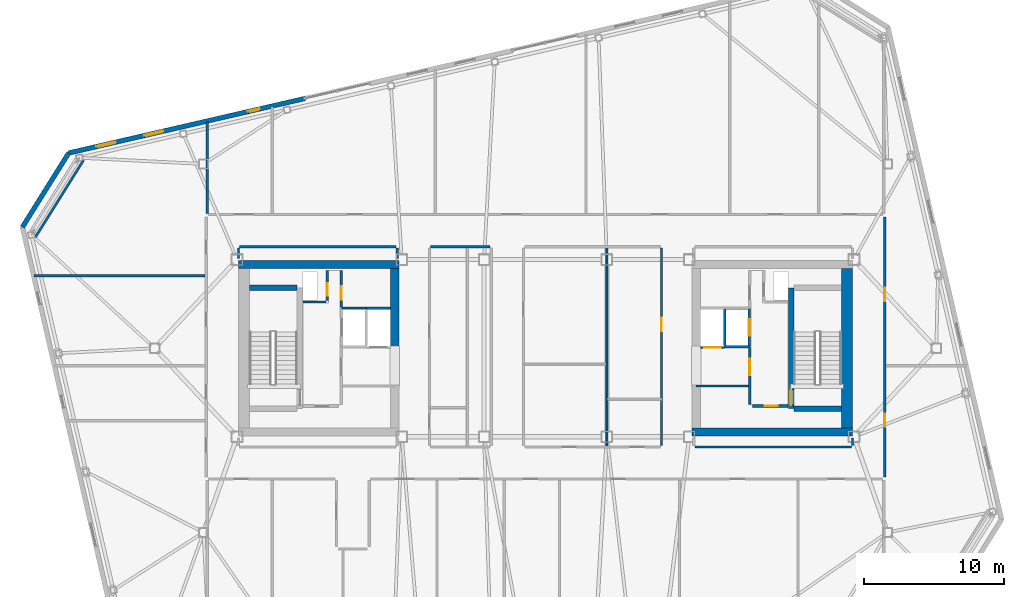
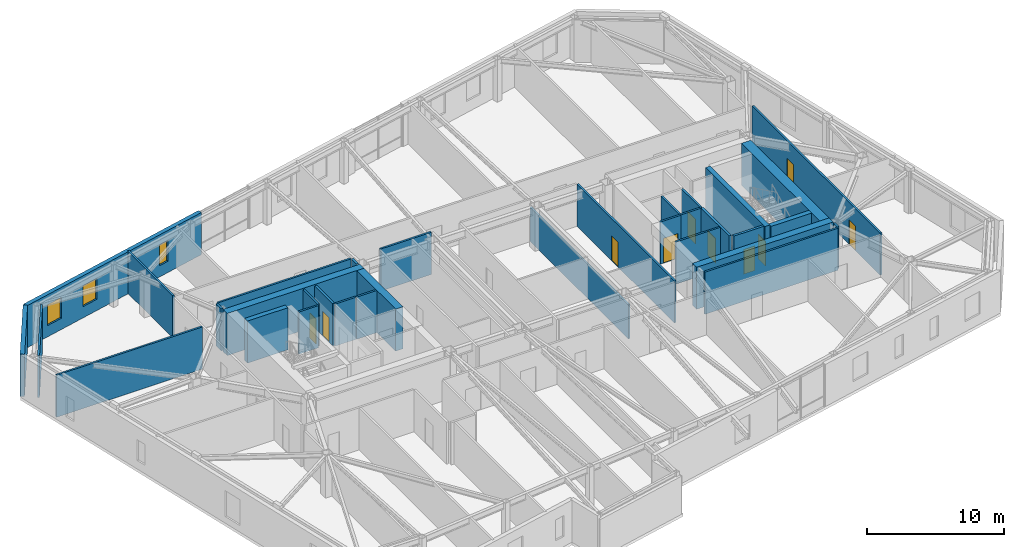
# One storey, part 16 of 21: 33 walls, 10 doors, 3 windows, 13 openings.
"""IFC4 building model written with IfcOpenShell, lengths in metres."""

from ifc_helpers import new_model, si_unit, direction, frame, frame_2d, origin, place, context, subcontext, project, spatial, rectangle, extrude, material, layer, layer_set, type_object, element, fill, save


model = new_model("IFC4")

# Units and contexts
model_context = context("Model", 3, precision=1e-05, world=origin(), true_north=direction((0.0, 1.0)))
body_context = subcontext(model_context, "Body", "Model", "MODEL_VIEW")
ifc_project = project(units=[si_unit("LENGTHUNIT", "METRE"), si_unit("AREAUNIT", "SQUARE_METRE"), si_unit("VOLUMEUNIT", "CUBIC_METRE"), si_unit("PLANEANGLEUNIT", "RADIAN"), si_unit("MASSUNIT", "GRAM", prefix="KILO")], contexts=[model_context])

# Site, building, storey
site_placement = place(None, origin())
site = spatial("IfcSite", under=ifc_project, at=site_placement, CompositionType="ELEMENT")
building_placement = place(site_placement, origin())
building = spatial("IfcBuilding", under=site, at=building_placement, Name="Tavrogorsk Clinical Tower", CompositionType="ELEMENT")
storey_placement = place(building_placement, frame((0.0, 0.0, 285.0)))
storey = spatial("IfcBuildingStorey", under=building, at=storey_placement, Name="L66", CompositionType="ELEMENT", Elevation=285.0)

# Wall, opening, door
ifc_material_1 = material(Name="Concrete B60", Category="concrete")
ifc_layer_1 = layer(ifc_material_1, 0.199951171875)
ifc_layer_set_1 = layer_set([ifc_layer_1], Name="Concrete B60")
wall_type_1 = type_object("IfcWallType", Name="CoreFireWall_200", PredefinedType="SOLIDWALL", material=ifc_layer_set_1)
wall_1_placement = place(storey_placement, frame((-14.639892578125, 2.9599609375, 0.0), z_axis=(0.0, 0.0, 1.0), x_axis=(0.0, 1.0, 0.0)))
wall_1 = element("IfcWall", 1, at=wall_1_placement, inside=storey, type_object=wall_type_1, Name="L66 Core West North Core Room East Wall", PredefinedType="SOLIDWALL", context=body_context, shape_type="SweptSolid", body=[
    extrude(rectangle(XDim=2.60009765625, YDim=0.199951171875, at=frame_2d((1.300048828125, 0.0))), origin(), (0.0, 0.0, 1.0), 3.739990234375),
])
opening_1_placement = place(wall_1_placement, frame((0.52001953125, 0.0, 0.0)))
opening_1 = element("IfcOpeningElement", 2, at=opening_1_placement, cuts=wall_1, Name="Opening ID-02", PredefinedType="OPENING", context=body_context, shape_type="SweptSolid", body=[
    extrude(rectangle(XDim=0.949951171875, YDim=2.199951171875, at=frame_2d((0.47509765625, 1.10009765625))), frame((0.0, 0.10986328125, 0.0), z_axis=(0.0, -1.0, 0.0), x_axis=(1.0, 0.0, 0.0)), (0.0, 0.0, 1.0), 0.219970703125),
])
ifc_material_2 = material(Name="Laminated timber leaf on aluminium frame", Category="wood")
door_type_1 = type_object("IfcDoorType", Name="InteriorDoor_ID02_950", OperationType="NOTDEFINED", PredefinedType="DOOR", material=ifc_material_2)
door_1_placement = place(opening_1_placement, origin())
door_1 = element("IfcDoor", 3, at=door_1_placement, inside=storey, type_object=door_type_1, Name="L66 Core West Core Telemetry Room Door", OperationType="SINGLE_SWING_LEFT", OverallHeight=2.199951171875, OverallWidth=0.949951171875, PredefinedType="DOOR", context=body_context, shape_type="SweptSolid", body=[
    extrude(rectangle(XDim=0.949951171875, YDim=2.199951171875, at=frame_2d((0.47509765625, 1.10009765625))), frame((0.0, 0.02490234375, 0.0), z_axis=(0.0, -1.0, 0.0), x_axis=(1.0, 0.0, 0.0)), (0.0, 0.0, 1.0), 0.050048828125),
])
fill(opening_1, door_1)

wall_2_placement = place(storey_placement, frame((14.824951171875, -4.139892578125, 0.0), z_axis=(0.0, 0.0, 1.0), x_axis=(1.0, 0.0, 0.0)))
wall_2 = element("IfcWall", 4, at=wall_2_placement, inside=storey, type_object=wall_type_1, Name="L66 Core East South Core Room Fire Wall", PredefinedType="SOLIDWALL", context=body_context, shape_type="SweptSolid", body=[
    extrude(rectangle(XDim=2.554931640625, YDim=0.199951171875, at=frame_2d((1.27734375, 0.0))), origin(), (0.0, 0.0, 1.0), 3.739990234375),
])
opening_2_placement = place(wall_2_placement, frame((0.8798828125, 0.0, 0.0)))
opening_2 = element("IfcOpeningElement", 5, at=opening_2_placement, cuts=wall_2, Name="Opening ID-02", PredefinedType="OPENING", context=body_context, shape_type="SweptSolid", body=[
    extrude(rectangle(XDim=0.949951171875, YDim=2.199951171875, at=frame_2d((0.47509765625, 1.10009765625))), frame((0.0, 0.10986328125, 0.0), z_axis=(0.0, -1.0, 0.0), x_axis=(1.0, 0.0, 0.0)), (0.0, 0.0, 1.0), 0.219970703125),
])
door_2_placement = place(opening_2_placement, origin())
door_2 = element("IfcDoor", 6, at=door_2_placement, inside=storey, type_object=door_type_1, Name="L66 Core East South Core Room Door", OperationType="SINGLE_SWING_RIGHT", OverallHeight=2.199951171875, OverallWidth=0.949951171875, PredefinedType="DOOR", context=body_context, shape_type="SweptSolid", body=[
    extrude(rectangle(XDim=0.949951171875, YDim=2.199951171875, at=frame_2d((0.47509765625, 1.10009765625))), frame((0.0, 0.02490234375, 0.0), z_axis=(0.0, -1.0, 0.0), x_axis=(1.0, 0.0, 0.0)), (0.0, 0.0, 1.0), 0.050048828125),
])
fill(opening_2, door_2)

wall_3_placement = place(storey_placement, frame((14.639892578125, -4.034912109375, 0.0), z_axis=(0.0, 0.0, 1.0), x_axis=(0.0, 1.0, 0.0)))
wall_3 = element("IfcWall", 7, at=wall_3_placement, inside=storey, type_object=wall_type_1, Name="L66 Core East Firefighting Lobby Fire Wall", PredefinedType="SOLIDWALL", context=body_context, shape_type="SweptSolid", body=[
    extrude(rectangle(XDim=4.074951171875, YDim=0.199951171875, at=frame_2d((2.03759765625, 0.0))), origin(), (0.0, 0.0, 1.0), 3.739990234375),
])
opening_3_placement = place(wall_3_placement, frame((2.090087890625, 0.0, 0.0)))
opening_3 = element("IfcOpeningElement", 8, at=opening_3_placement, cuts=wall_3, Name="Opening FD-01", PredefinedType="OPENING", context=body_context, shape_type="SweptSolid", body=[
    extrude(rectangle(XDim=1.199951171875, YDim=2.199951171875, at=frame_2d((0.60009765625, 1.10009765625))), frame((0.0, 0.10986328125, 0.0), z_axis=(0.0, -1.0, 0.0), x_axis=(1.0, 0.0, 0.0)), (0.0, 0.0, 1.0), 0.219970703125),
])
ifc_material_3 = material(Name="Galvanised steel fire-rated door assembly", Category="steel")
door_type_2 = type_object("IfcDoorType", Name="FireDoor_FD01_1200", OperationType="NOTDEFINED", PredefinedType="DOOR", material=ifc_material_3)
door_3_placement = place(opening_3_placement, origin())
door_3 = element("IfcDoor", 9, at=door_3_placement, inside=storey, type_object=door_type_2, Name="L66 Core East Firefighting Lobby Entry Door", OperationType="SINGLE_SWING_RIGHT", OverallHeight=2.199951171875, OverallWidth=1.199951171875, PredefinedType="DOOR", context=body_context, shape_type="SweptSolid", body=[
    extrude(rectangle(XDim=1.199951171875, YDim=2.199951171875, at=frame_2d((0.60009765625, 1.10009765625))), frame((0.0, 0.02490234375, 0.0), z_axis=(0.0, -1.0, 0.0), x_axis=(1.0, 0.0, 0.0)), (0.0, 0.0, 1.0), 0.050048828125),
])
fill(opening_3, door_3)

# Walls
ifc_material_4 = material(Name="Lightweight concrete blockwork B15", Category="masonry")
ifc_layer_2 = layer(ifc_material_4, 0.139892578125)
ifc_layer_set_2 = layer_set([ifc_layer_2], Name="Lightweight concrete blockwork B15")
wall_type_2 = type_object("IfcWallType", Name="PartitionWall_140", PredefinedType="PARTITIONING", material=ifc_layer_set_2)
wall_4_placement = place(storey_placement, frame((4.39990234375, -7.06494140625, 0.0), z_axis=(0.0, 0.0, 1.0), x_axis=(0.0, 1.0, 0.0)))
element("IfcWall", 10, at=wall_4_placement, inside=storey, type_object=wall_type_2, Name="L66 Central Spine Partition 2", PredefinedType="PARTITIONING", context=body_context, shape_type="SweptSolid", body=[
    extrude(rectangle(XDim=14.329833984375, YDim=0.139892578125, at=frame_2d((7.1650390625, 0.0))), origin(), (0.0, 0.0, 1.0), 3.034912109375),
])
ifc_material_5 = material(Name="Lightweight concrete blockwork B15", Category="masonry")
ifc_layer_3 = layer(ifc_material_5, 0.159912109375)
ifc_layer_set_3 = layer_set([ifc_layer_3], Name="Lightweight concrete blockwork B15")
wall_type_3 = type_object("IfcWallType", Name="PartitionWall_160", PredefinedType="PARTITIONING", material=ifc_layer_set_3)
wall_5_placement = place(storey_placement, frame((10.800048828125, -2.699951171875, 0.0), z_axis=(0.0, 0.0, 1.0), x_axis=(1.0, 0.0, 0.0)))
element("IfcWall", 11, at=wall_5_placement, inside=storey, type_object=wall_type_3, Name="L66 Core East Freed Mid-Bank North Partition", PredefinedType="PARTITIONING", context=body_context, shape_type="SweptSolid", body=[
    extrude(rectangle(XDim=3.73486328125, YDim=0.159912109375, at=frame_2d((1.867431640625, 0.0))), origin(), (0.0, 0.0, 1.0), 3.739990234375),
])
wall_6_placement = place(storey_placement, frame((-33.10009765625, 13.464599609375, 0.0), z_axis=(0.0, 0.0, 1.0), x_axis=(-0.529958457806, -0.848023604035, 0.0)))
element("IfcWall", 12, at=wall_6_placement, inside=storey, type_object=wall_type_3, Name="L66 Corner Exoskeleton Brace Furring Wall 3", PredefinedType="PARTITIONING", context=body_context, shape_type="SweptSolid", body=[
    extrude(rectangle(XDim=6.505126953125, YDim=0.159912109375, at=frame_2d((3.25244140625, 0.0))), origin(), (0.0, 0.0, 1.0), 3.739990234375),
])

# Wall, openings, doors
wall_7_placement = place(storey_placement, frame((24.31005859375, 9.4150390625, 0.0), z_axis=(0.0, 0.0, 1.0), x_axis=(0.0, -1.0, 0.0)))
wall_7 = element("IfcWall", 13, at=wall_7_placement, inside=storey, type_object=wall_type_3, Name="L66 Corridor Partition 03", PredefinedType="PARTITIONING", context=body_context, shape_type="SweptSolid", body=[
    extrude(rectangle(XDim=18.630126953125, YDim=0.159912109375, at=frame_2d((9.31494140625, 0.0))), origin(), (0.0, 0.0, 1.0), 3.739990234375),
])
opening_4_placement = place(wall_7_placement, frame((14.10595703125, 0.0, 0.0)))
opening_4 = element("IfcOpeningElement", 14, at=opening_4_placement, cuts=wall_7, Name="Opening ID-02", PredefinedType="OPENING", context=body_context, shape_type="SweptSolid", body=[
    extrude(rectangle(XDim=0.949951171875, YDim=2.199951171875, at=frame_2d((0.47509765625, 1.10009765625))), frame((0.0, 0.08984375, 0.0), z_axis=(0.0, -1.0, 0.0), x_axis=(1.0, 0.0, 0.0)), (0.0, 0.0, 1.0), 0.179931640625),
])
opening_5_placement = place(wall_7_placement, frame((5.093994140625, 0.0, 0.0)))
opening_5 = element("IfcOpeningElement", 15, at=opening_5_placement, cuts=wall_7, Name="Opening ID-02", PredefinedType="OPENING", context=body_context, shape_type="SweptSolid", body=[
    extrude(rectangle(XDim=0.949951171875, YDim=2.199951171875, at=frame_2d((0.47509765625, 1.10009765625))), frame((0.0, 0.08984375, 0.0), z_axis=(0.0, -1.0, 0.0), x_axis=(1.0, 0.0, 0.0)), (0.0, 0.0, 1.0), 0.179931640625),
])
door_4_placement = place(opening_4_placement, origin())
door_4 = element("IfcDoor", 16, at=door_4_placement, inside=storey, type_object=door_type_1, Name="L66 E Senior Clinician Suite 1 Door", OperationType="SINGLE_SWING_LEFT", OverallHeight=2.199951171875, OverallWidth=0.949951171875, PredefinedType="DOOR", context=body_context, shape_type="SweptSolid", body=[
    extrude(rectangle(XDim=0.949951171875, YDim=2.199951171875, at=frame_2d((0.47509765625, 1.10009765625))), frame((0.0, 0.02490234375, 0.0), z_axis=(0.0, -1.0, 0.0), x_axis=(1.0, 0.0, 0.0)), (0.0, 0.0, 1.0), 0.050048828125),
])
fill(opening_4, door_4)
door_5_placement = place(opening_5_placement, origin())
door_5 = element("IfcDoor", 17, at=door_5_placement, inside=storey, type_object=door_type_1, Name="L66 E Multidisciplinary Seminar Suite 2 Door", OperationType="SINGLE_SWING_RIGHT", OverallHeight=2.199951171875, OverallWidth=0.949951171875, PredefinedType="DOOR", context=body_context, shape_type="SweptSolid", body=[
    extrude(rectangle(XDim=0.949951171875, YDim=2.199951171875, at=frame_2d((0.47509765625, 1.10009765625))), frame((0.0, 0.02490234375, 0.0), z_axis=(0.0, -1.0, 0.0), x_axis=(1.0, 0.0, 0.0)), (0.0, 0.0, 1.0), 0.050048828125),
])
fill(opening_5, door_5)

# Walls
wall_8_placement = place(storey_placement, frame((10.715087890625, -7.070068359375, 0.0), z_axis=(0.0, 0.0, 1.0), x_axis=(1.0, 0.0, 0.0)))
element("IfcWall", 18, at=wall_8_placement, inside=storey, type_object=wall_type_3, Name="L66 Corridor Partition 12", PredefinedType="PARTITIONING", context=body_context, shape_type="SweptSolid", body=[
    extrude(rectangle(XDim=11.199951171875, YDim=0.159912109375, at=frame_2d((5.60009765625, 0.0))), origin(), (0.0, 0.0, 1.0), 3.739990234375),
])
wall_9_placement = place(storey_placement, frame((22.0, -6.985107421875, 0.0), z_axis=(0.0, 0.0, 1.0), x_axis=(0.0, 1.0, 0.0)))
element("IfcWall", 19, at=wall_9_placement, inside=storey, type_object=wall_type_3, Name="L66 Corridor Partition 13", PredefinedType="PARTITIONING", context=body_context, shape_type="SweptSolid", body=[
    extrude(rectangle(XDim=0.565185546875, YDim=0.159912109375, at=frame_2d((0.28271484375, 0.0))), origin(), (0.0, 0.0, 1.0), 3.739990234375),
])

# Wall, opening, door
wall_10_placement = place(storey_placement, frame((8.320068359375, -6.985107421875, 0.0), z_axis=(0.0, 0.0, 1.0), x_axis=(0.0, 1.0, 0.0)))
wall_10 = element("IfcWall", 20, at=wall_10_placement, inside=storey, type_object=wall_type_3, Name="L66 Corridor Partition 18", PredefinedType="PARTITIONING", context=body_context, shape_type="SweptSolid", body=[
    extrude(rectangle(XDim=14.170166015625, YDim=0.159912109375, at=frame_2d((7.0849609375, 0.0))), origin(), (0.0, 0.0, 1.0), 3.739990234375),
])
opening_6_placement = place(wall_10_placement, frame((8.2109375, 0.0, 0.0)))
opening_6 = element("IfcOpeningElement", 21, at=opening_6_placement, cuts=wall_10, Name="Opening ID-02", PredefinedType="OPENING", context=body_context, shape_type="SweptSolid", body=[
    extrude(rectangle(XDim=0.949951171875, YDim=2.199951171875, at=frame_2d((0.47509765625, 1.10009765625))), frame((0.0, 0.08984375, 0.0), z_axis=(0.0, -1.0, 0.0), x_axis=(1.0, 0.0, 0.0)), (0.0, 0.0, 1.0), 0.179931640625),
])
door_6_placement = place(opening_6_placement, origin())
door_6 = element("IfcDoor", 22, at=door_6_placement, inside=storey, type_object=door_type_1, Name="L66 Attending Physician Office Door", OperationType="SINGLE_SWING_RIGHT", OverallHeight=2.199951171875, OverallWidth=0.949951171875, PredefinedType="DOOR", context=body_context, shape_type="SweptSolid", body=[
    extrude(rectangle(XDim=0.949951171875, YDim=2.199951171875, at=frame_2d((0.47509765625, 1.10009765625))), frame((0.0, 0.02490234375, 0.0), z_axis=(0.0, -1.0, 0.0), x_axis=(1.0, 0.0, 0.0)), (0.0, 0.0, 1.0), 0.050048828125),
])
fill(opening_6, door_6)

# Walls
wall_11_placement = place(storey_placement, frame((-3.965087890625, 7.27001953125, 0.0), z_axis=(0.0, 0.0, 1.0), x_axis=(-1.0, 0.0, 0.0)))
element("IfcWall", 23, at=wall_11_placement, inside=storey, type_object=wall_type_3, Name="L66 Corridor Partition 20", PredefinedType="PARTITIONING", context=body_context, shape_type="SweptSolid", body=[
    extrude(rectangle(XDim=4.27001953125, YDim=0.159912109375, at=frame_2d((2.135009765625, 0.0))), origin(), (0.0, 0.0, 1.0), 3.739990234375),
])
wall_12_placement = place(storey_placement, frame((-10.6298828125, 6.419921875, 0.0), z_axis=(0.0, 0.0, 1.0), x_axis=(0.0, 1.0, 0.0)))
element("IfcWall", 24, at=wall_12_placement, inside=storey, type_object=wall_type_3, Name="L66 Corridor Partition 24", PredefinedType="PARTITIONING", context=body_context, shape_type="SweptSolid", body=[
    extrude(rectangle(XDim=0.76513671875, YDim=0.159912109375, at=frame_2d((0.382568359375, 0.0))), origin(), (0.0, 0.0, 1.0), 3.739990234375),
])
wall_13_placement = place(storey_placement, frame((-10.715087890625, 7.27001953125, 0.0), z_axis=(0.0, 0.0, 1.0), x_axis=(-1.0, 0.0, 0.0)))
element("IfcWall", 25, at=wall_13_placement, inside=storey, type_object=wall_type_3, Name="L66 Corridor Partition 25", PredefinedType="PARTITIONING", context=body_context, shape_type="SweptSolid", body=[
    extrude(rectangle(XDim=11.199951171875, YDim=0.159912109375, at=frame_2d((5.60009765625, 0.0))), origin(), (0.0, 0.0, 1.0), 3.739990234375),
])
wall_14_placement = place(storey_placement, frame((-22.0, 7.18505859375, 0.0), z_axis=(0.0, 0.0, 1.0), x_axis=(0.0, -1.0, 0.0)))
element("IfcWall", 26, at=wall_14_placement, inside=storey, type_object=wall_type_3, Name="L66 Corridor Partition 26", PredefinedType="PARTITIONING", context=body_context, shape_type="SweptSolid", body=[
    extrude(rectangle(XDim=0.76513671875, YDim=0.159912109375, at=frame_2d((0.382568359375, 0.0))), origin(), (0.0, 0.0, 1.0), 3.739990234375),
])
wall_15_placement = place(storey_placement, frame((-24.22998046875, 9.6650390625, 0.0), z_axis=(0.0, 0.0, 1.0), x_axis=(0.0, 1.0, 0.0)))
element("IfcWall", 27, at=wall_15_placement, inside=storey, type_object=wall_type_3, Name="L66 NW Wing Closure Partition", PredefinedType="PARTITIONING", context=body_context, shape_type="SweptSolid", body=[
    extrude(rectangle(XDim=6.5458984375, YDim=0.159912109375, at=frame_2d((3.27294921875, 0.0))), origin(), (0.0, 0.0, 1.0), 3.739990234375),
])
wall_16_placement = place(storey_placement, frame((-36.662841796875, 5.199951171875, 0.0), z_axis=(0.0, 0.0, 1.0), x_axis=(1.0, 0.0, 0.0)))
element("IfcWall", 28, at=wall_16_placement, inside=storey, type_object=wall_type_3, Name="L66 W Wing Divider 3", PredefinedType="PARTITIONING", context=body_context, shape_type="SweptSolid", body=[
    extrude(rectangle(XDim=12.267822265625, YDim=0.159912109375, at=frame_2d((6.1337890625, 0.0))), origin(), (0.0, 0.0, 1.0), 3.739990234375),
])

# Wall, openings, windows
ifc_material_6 = material(Name="Precast concrete B45 with limestone cladding", Category="masonry")
ifc_layer_4 = layer(ifc_material_6, 0.340087890625)
ifc_layer_set_4 = layer_set([ifc_layer_4], Name="Precast concrete B45 with limestone cladding")
wall_type_4 = type_object("IfcWallType", Name="PrecastLimestoneWall_340", PredefinedType="STANDARD", material=ifc_layer_set_4)
wall_17_placement = place(storey_placement, frame((-17.2451171875, 17.895263671875, 0.0), z_axis=(0.0, 0.0, 1.0), x_axis=(-0.97437318493, -0.224937539085, 0.0)))
wall_17 = element("IfcWall", 29, at=wall_17_placement, inside=storey, type_object=wall_type_4, Name="L66 N Limestone Facade Wall 3", PredefinedType="STANDARD", context=body_context, shape_type="SweptSolid", body=[
    extrude(rectangle(XDim=17.365966796875, YDim=0.340087890625, at=frame_2d((8.68310546875, 0.0))), origin(), (0.0, 0.0, 1.0), 3.739990234375),
])
opening_7_placement = place(wall_17_placement, frame((13.924560546875, 0.0, 1.0)))
opening_7 = element("IfcOpeningElement", 30, at=opening_7_placement, cuts=wall_17, Name="Opening WN-17", PredefinedType="OPENING", context=body_context, shape_type="SweptSolid", body=[
    extrude(rectangle(XDim=1.39990234375, YDim=1.85009765625, at=frame_2d((0.699951171875, 0.925048828125))), frame((0.0, 0.179931640625, 0.0), z_axis=(0.0, -1.0, 0.0), x_axis=(1.0, 0.0, 0.0)), (0.0, 0.0, 1.0), 0.360107421875),
])
opening_8_placement = place(wall_17_placement, frame((10.412841796875, 0.0, 1.0)))
opening_8 = element("IfcOpeningElement", 31, at=opening_8_placement, cuts=wall_17, Name="Opening WN-17", PredefinedType="OPENING", context=body_context, shape_type="SweptSolid", body=[
    extrude(rectangle(XDim=1.39990234375, YDim=1.85009765625, at=frame_2d((0.699951171875, 0.925048828125))), frame((0.0, 0.179931640625, 0.0), z_axis=(0.0, -1.0, 0.0), x_axis=(1.0, 0.0, 0.0)), (0.0, 0.0, 1.0), 0.360107421875),
])
opening_9_placement = place(wall_17_placement, frame((3.32861328125, 0.0, 1.0)))
opening_9 = element("IfcOpeningElement", 32, at=opening_9_placement, cuts=wall_17, Name="Opening WN-06", PredefinedType="OPENING", context=body_context, shape_type="SweptSolid", body=[
    extrude(rectangle(XDim=0.85009765625, YDim=1.85009765625, at=frame_2d((0.425048828125, 0.925048828125))), frame((0.0, 0.179931640625, 0.0), z_axis=(0.0, -1.0, 0.0), x_axis=(1.0, 0.0, 0.0)), (0.0, 0.0, 1.0), 0.360107421875),
])
ifc_material_7 = material(Name="Thermally broken aluminium frame and triple IGU", Category="aluminium")
window_type_1 = type_object("IfcWindowType", Name="MullionSubWin_850x1850", PartitioningType="SINGLE_PANEL", PredefinedType="WINDOW", material=ifc_material_7)
window_1_placement = place(opening_9_placement, origin())
window_1 = element("IfcWindow", 33, at=window_1_placement, inside=storey, type_object=window_type_1, Name="L66 N Mullion Split Window 04B", OverallHeight=1.85009765625, OverallWidth=0.85009765625, PartitioningType="SINGLE_PANEL", PredefinedType="WINDOW", context=body_context, shape_type="SweptSolid", body=[
    extrude(rectangle(XDim=0.85009765625, YDim=1.85009765625, at=frame_2d((0.425048828125, 0.925048828125))), frame((0.0, 0.030029296875, 0.0), z_axis=(0.0, -1.0, 0.0), x_axis=(1.0, 0.0, 0.0)), (0.0, 0.0, 1.0), 0.06005859375),
])
fill(opening_9, window_1)
ifc_material_8 = material(Name="Thermally broken aluminium frame and triple IGU", Category="aluminium")
window_type_2 = type_object("IfcWindowType", Name="TelemetryWin_1400x1850", PartitioningType="SINGLE_PANEL", PredefinedType="WINDOW", material=ifc_material_8)
window_2_placement = place(opening_7_placement, origin())
window_2 = element("IfcWindow", 34, at=window_2_placement, inside=storey, type_object=window_type_2, Name="L66 N Chicago Window 01", OverallHeight=1.85009765625, OverallWidth=1.39990234375, PartitioningType="SINGLE_PANEL", PredefinedType="WINDOW", context=body_context, shape_type="SweptSolid", body=[
    extrude(rectangle(XDim=1.39990234375, YDim=1.85009765625, at=frame_2d((0.699951171875, 0.925048828125))), frame((0.0, 0.030029296875, 0.0), z_axis=(0.0, -1.0, 0.0), x_axis=(1.0, 0.0, 0.0)), (0.0, 0.0, 1.0), 0.06005859375),
])
fill(opening_7, window_2)
window_3_placement = place(opening_8_placement, origin())
window_3 = element("IfcWindow", 35, at=window_3_placement, inside=storey, type_object=window_type_2, Name="L66 N Chicago Window 02", OverallHeight=1.85009765625, OverallWidth=1.39990234375, PartitioningType="SINGLE_PANEL", PredefinedType="WINDOW", context=body_context, shape_type="SweptSolid", body=[
    extrude(rectangle(XDim=1.39990234375, YDim=1.85009765625, at=frame_2d((0.699951171875, 0.925048828125))), frame((0.0, 0.030029296875, 0.0), z_axis=(0.0, -1.0, 0.0), x_axis=(1.0, 0.0, 0.0)), (0.0, 0.0, 1.0), 0.06005859375),
])
fill(opening_8, window_3)

# Walls
wall_18_placement = place(storey_placement, frame((-34.165771484375, 13.989013671875, 0.0), z_axis=(0.0, 0.0, 1.0), x_axis=(-0.529935887993, -0.848037708252, 0.0)))
element("IfcWall", 36, at=wall_18_placement, inside=storey, type_object=wall_type_4, Name="L66 Chamfered Corner Wall 3", PredefinedType="STANDARD", context=body_context, shape_type="SweptSolid", body=[
    extrude(rectangle(XDim=6.26513671875, YDim=0.340087890625, at=frame_2d((3.132568359375, 0.0))), origin(), (0.0, 0.0, 1.0), 3.739990234375),
])
ifc_material_9 = material(Name="Lightweight concrete blockwork B25", Category="masonry")
ifc_layer_5 = layer(ifc_material_9, 0.159912109375)
ifc_layer_set_5 = layer_set([ifc_layer_5], Name="Lightweight concrete blockwork B25")
wall_type_5 = type_object("IfcWallType", Name="ShaftWall_160", PredefinedType="PARTITIONING", material=ifc_layer_set_5)
wall_19_placement = place(storey_placement, frame((-14.60009765625, 2.8798828125, 0.0), z_axis=(0.0, 0.0, 1.0), x_axis=(1.0, 0.0, 0.0)))
element("IfcWall", 37, at=wall_19_placement, inside=storey, type_object=wall_type_5, Name="L66 FFL-W Shaft North Wall", PredefinedType="PARTITIONING", context=body_context, shape_type="SweptSolid", body=[
    extrude(rectangle(XDim=1.760009765625, YDim=0.159912109375, at=frame_2d((0.8798828125, 0.0))), origin(), (0.0, 0.0, 1.0), 3.739990234375),
])
wall_20_placement = place(storey_placement, frame((-12.820068359375, 2.860107421875, 0.0), z_axis=(0.0, 0.0, 1.0), x_axis=(1.0, 0.0, 0.0)))
element("IfcWall", 38, at=wall_20_placement, inside=storey, type_object=wall_type_5, Name="L66 LP-H1 High-Zone Lift Rear Wall", PredefinedType="PARTITIONING", context=body_context, shape_type="SweptSolid", body=[
    extrude(rectangle(XDim=1.719970703125, YDim=0.159912109375, at=frame_2d((0.85986328125, 0.0))), origin(), (0.0, 0.0, 1.0), 3.739990234375),
])

# Wall, opening, door
wall_21_placement = place(storey_placement, frame((14.60009765625, 0.1201171875, 0.0), z_axis=(0.0, 0.0, 1.0), x_axis=(0.0, 1.0, 0.0)))
wall_21 = element("IfcWall", 39, at=wall_21_placement, inside=storey, type_object=wall_type_5, Name="L66 FFL-E Firefighting Lift Front Wall", PredefinedType="PARTITIONING", context=body_context, shape_type="SweptSolid", body=[
    extrude(rectangle(XDim=2.739990234375, YDim=0.159912109375, at=frame_2d((1.3701171875, 0.0))), origin(), (0.0, 0.0, 1.0), 3.739990234375),
])
opening_10_placement = place(wall_21_placement, frame((0.77001953125, 0.0, 0.0)))
opening_10 = element("IfcOpeningElement", 40, at=opening_10_placement, cuts=wall_21, Name="Opening LD", PredefinedType="OPENING", context=body_context, shape_type="SweptSolid", body=[
    extrude(rectangle(XDim=1.199951171875, YDim=2.199951171875, at=frame_2d((0.60009765625, 1.10009765625))), frame((0.0, 0.08984375, 0.0), z_axis=(0.0, -1.0, 0.0), x_axis=(1.0, 0.0, 0.0)), (0.0, 0.0, 1.0), 0.179931640625),
])
ifc_material_10 = material(Name="Brushed stainless steel AISI 304 sliding doors", Category="steel")
door_type_3 = type_object("IfcDoorType", Name="LiftLandingDoor_LD_1200", OperationType="SLIDING_TO_LEFT", PredefinedType="DOOR", material=ifc_material_10)
door_7_placement = place(opening_10_placement, origin())
door_7 = element("IfcDoor", 41, at=door_7_placement, inside=storey, type_object=door_type_3, Name="L66 FFL-E Sliding Lift Landing Door", OperationType="SLIDING_TO_LEFT", OverallHeight=2.199951171875, OverallWidth=1.199951171875, PredefinedType="DOOR", context=body_context, shape_type="SweptSolid", body=[
    extrude(rectangle(XDim=1.199951171875, YDim=2.199951171875, at=frame_2d((0.60009765625, 1.10009765625))), frame((0.0, 0.02490234375, 0.0), z_axis=(0.0, -1.0, 0.0), x_axis=(1.0, 0.0, 0.0)), (0.0, 0.0, 1.0), 0.050048828125),
])
fill(opening_10, door_7)

# Walls
wall_22_placement = place(storey_placement, frame((12.840087890625, 0.10009765625, 0.0), z_axis=(0.0, 0.0, 1.0), x_axis=(1.0, 0.0, 0.0)))
element("IfcWall", 42, at=wall_22_placement, inside=storey, type_object=wall_type_5, Name="L66 FFL-E Shaft South Wall", PredefinedType="PARTITIONING", context=body_context, shape_type="SweptSolid", body=[
    extrude(rectangle(XDim=1.760009765625, YDim=0.159912109375, at=frame_2d((0.8798828125, 0.0))), origin(), (0.0, 0.0, 1.0), 3.739990234375),
])
wall_23_placement = place(storey_placement, frame((12.840087890625, 0.179931640625, 0.0), z_axis=(0.0, 0.0, 1.0), x_axis=(0.0, 1.0, 0.0)))
element("IfcWall", 43, at=wall_23_placement, inside=storey, type_object=wall_type_5, Name="L66 FFL-E Shaft Back Wall", PredefinedType="PARTITIONING", context=body_context, shape_type="SweptSolid", body=[
    extrude(rectangle(XDim=2.6201171875, YDim=0.159912109375, at=frame_2d((1.31005859375, 0.0))), origin(), (0.0, 0.0, 1.0), 3.739990234375),
])

# Wall, opening, door
wall_24_placement = place(storey_placement, frame((11.10009765625, 0.06005859375, 0.0), z_axis=(0.0, 0.0, 1.0), x_axis=(1.0, 0.0, 0.0)))
wall_24 = element("IfcWall", 44, at=wall_24_placement, inside=storey, type_object=wall_type_5, Name="L66 LP-H2 High-Zone Lift Portal Wall", PredefinedType="PARTITIONING", context=body_context, shape_type="SweptSolid", body=[
    extrude(rectangle(XDim=1.719970703125, YDim=0.159912109375, at=frame_2d((0.85986328125, 0.0))), origin(), (0.0, 0.0, 1.0), 3.739990234375),
])
opening_11_placement = place(wall_24_placement, frame((0.260009765625, 0.0, 0.0)))
opening_11 = element("IfcOpeningElement", 45, at=opening_11_placement, cuts=wall_24, Name="Opening LD", PredefinedType="OPENING", context=body_context, shape_type="SweptSolid", body=[
    extrude(rectangle(XDim=1.199951171875, YDim=2.199951171875, at=frame_2d((0.60009765625, 1.10009765625))), frame((0.0, 0.08984375, 0.0), z_axis=(0.0, -1.0, 0.0), x_axis=(1.0, 0.0, 0.0)), (0.0, 0.0, 1.0), 0.179931640625),
])
door_8_placement = place(opening_11_placement, origin())
door_8 = element("IfcDoor", 46, at=door_8_placement, inside=storey, type_object=door_type_3, Name="L66 LP-H2 Sliding Lift Landing Door", OperationType="SLIDING_TO_LEFT", OverallHeight=2.199951171875, OverallWidth=1.199951171875, PredefinedType="DOOR", context=body_context, shape_type="SweptSolid", body=[
    extrude(rectangle(XDim=1.199951171875, YDim=2.199951171875, at=frame_2d((0.60009765625, 1.10009765625))), frame((0.0, 0.02490234375, 0.0), z_axis=(0.0, -1.0, 0.0), x_axis=(1.0, 0.0, 0.0)), (0.0, 0.0, 1.0), 0.050048828125),
])
fill(opening_11, door_8)

wall_25_placement = place(storey_placement, frame((-15.639892578125, 3.405029296875, 0.0), z_axis=(0.0, 0.0, 1.0), x_axis=(0.0, 1.0, 0.0)))
wall_25 = element("IfcWall", 47, at=wall_25_placement, inside=storey, type_object=wall_type_5, Name="L66 Core West Riser West Wall", PredefinedType="PARTITIONING", context=body_context, shape_type="SweptSolid", body=[
    extrude(rectangle(XDim=2.155029296875, YDim=0.159912109375, at=frame_2d((1.07763671875, 0.0))), origin(), (0.0, 0.0, 1.0), 3.739990234375),
])
opening_12_placement = place(wall_25_placement, frame((0.35009765625, 0.0, 0.0)))
opening_12 = element("IfcOpeningElement", 48, at=opening_12_placement, cuts=wall_25, Name="Opening FD-02", PredefinedType="OPENING", context=body_context, shape_type="SweptSolid", body=[
    extrude(rectangle(XDim=0.89990234375, YDim=2.199951171875, at=frame_2d((0.449951171875, 1.10009765625))), frame((0.0, 0.08984375, 0.0), z_axis=(0.0, -1.0, 0.0), x_axis=(1.0, 0.0, 0.0)), (0.0, 0.0, 1.0), 0.179931640625),
])
ifc_material_11 = material(Name="Galvanised steel fire-rated door assembly", Category="steel")
door_type_4 = type_object("IfcDoorType", Name="FireDoor_FD02_900", OperationType="NOTDEFINED", PredefinedType="DOOR", material=ifc_material_11)
door_9_placement = place(opening_12_placement, origin())
door_9 = element("IfcDoor", 49, at=door_9_placement, inside=storey, type_object=door_type_4, Name="L66 Core West Electrical Riser Access Door", OperationType="SINGLE_SWING_LEFT", OverallHeight=2.199951171875, OverallWidth=0.89990234375, PredefinedType="DOOR", context=body_context, shape_type="SweptSolid", body=[
    extrude(rectangle(XDim=0.89990234375, YDim=2.199951171875, at=frame_2d((0.449951171875, 1.10009765625))), frame((0.0, 0.02490234375, 0.0), z_axis=(0.0, -1.0, 0.0), x_axis=(1.0, 0.0, 0.0)), (0.0, 0.0, 1.0), 0.050048828125),
])
fill(opening_12, door_9)

# Walls
wall_26_placement = place(storey_placement, frame((-17.3798828125, 3.320068359375, 0.0), z_axis=(0.0, 0.0, 1.0), x_axis=(1.0, 0.0, 0.0)))
element("IfcWall", 50, at=wall_26_placement, inside=storey, type_object=wall_type_5, Name="L66 Core West Riser South Wall", PredefinedType="PARTITIONING", context=body_context, shape_type="SweptSolid", body=[
    extrude(rectangle(XDim=1.65478515625, YDim=0.159912109375, at=frame_2d((0.827392578125, 0.0))), origin(), (0.0, 0.0, 1.0), 3.739990234375),
])
ifc_material_12 = material(Name="Concrete B80", Category="concrete")
ifc_layer_6 = layer(ifc_material_12, 0.39990234375)
ifc_layer_set_6 = layer_set([ifc_layer_6], Name="Concrete B80")
wall_type_6 = type_object("IfcWallType", Name="ShearWall_400", PredefinedType="SHEAR", material=ifc_layer_set_6)
wall_27_placement = place(storey_placement, frame((-21.199951171875, 4.324951171875, 0.0), z_axis=(0.0, 0.0, 1.0), x_axis=(1.0, 0.0, 0.0)))
element("IfcWall", 51, at=wall_27_placement, inside=storey, type_object=wall_type_6, Name="L66 Core West Stair Shaft North Shear Wall", PredefinedType="SHEAR", context=body_context, shape_type="SweptSolid", body=[
    extrude(rectangle(XDim=3.39990234375, YDim=0.39990234375, at=frame_2d((1.699951171875, 0.0))), origin(), (0.0, 0.0, 1.0), 3.739990234375),
])

# Wall, opening, door
wall_28_placement = place(storey_placement, frame((17.60009765625, -4.324951171875, 0.0), z_axis=(0.0, 0.0, 1.0), x_axis=(0.0, 1.0, 0.0)))
wall_28 = element("IfcWall", 52, at=wall_28_placement, inside=storey, type_object=wall_type_6, Name="L66 Core East Stair Shaft Inner Shear Wall", PredefinedType="SHEAR", context=body_context, shape_type="SweptSolid", body=[
    extrude(rectangle(XDim=8.64990234375, YDim=0.39990234375, at=frame_2d((4.324951171875, 0.0))), origin(), (0.0, 0.0, 1.0), 3.739990234375),
])
opening_13_placement = place(wall_28_placement, frame((0.25, 0.0, 0.0)))
opening_13 = element("IfcOpeningElement", 53, at=opening_13_placement, cuts=wall_28, Name="Opening SD-01", PredefinedType="OPENING", context=body_context, shape_type="SweptSolid", body=[
    extrude(rectangle(XDim=1.10009765625, YDim=2.199951171875, at=frame_2d((0.550048828125, 1.10009765625))), frame((0.0, 0.2099609375, 0.0), z_axis=(0.0, -1.0, 0.0), x_axis=(1.0, 0.0, 0.0)), (0.0, 0.0, 1.0), 0.419921875),
])
ifc_material_13 = material(Name="Galvanised steel smoke-tight fire door assembly", Category="steel")
door_type_5 = type_object("IfcDoorType", Name="StairFireDoor_SD01_1100", OperationType="NOTDEFINED", PredefinedType="DOOR", material=ifc_material_13)
door_10_placement = place(opening_13_placement, origin())
door_10 = element("IfcDoor", 54, at=door_10_placement, inside=storey, type_object=door_type_5, Name="L66 ST-E Exit Stair Door", OperationType="SINGLE_SWING_RIGHT", OverallHeight=2.199951171875, OverallWidth=1.10009765625, PredefinedType="DOOR", context=body_context, shape_type="SweptSolid", body=[
    extrude(rectangle(XDim=1.10009765625, YDim=2.199951171875, at=frame_2d((0.550048828125, 1.10009765625))), frame((0.0, 0.02490234375, 0.0), z_axis=(0.0, -1.0, 0.0), x_axis=(1.0, 0.0, 0.0)), (0.0, 0.0, 1.0), 0.050048828125),
])
fill(opening_13, door_10)

# Walls
wall_29_placement = place(storey_placement, frame((17.800048828125, -4.324951171875, 0.0), z_axis=(0.0, 0.0, 1.0), x_axis=(1.0, 0.0, 0.0)))
element("IfcWall", 55, at=wall_29_placement, inside=storey, type_object=wall_type_6, Name="L66 Core East Stair Shaft South Shear Wall", PredefinedType="SHEAR", context=body_context, shape_type="SweptSolid", body=[
    extrude(rectangle(XDim=3.39990234375, YDim=0.39990234375, at=frame_2d((1.699951171875, 0.0))), origin(), (0.0, 0.0, 1.0), 3.739990234375),
])
ifc_material_14 = material(Name="Concrete B80", Category="concrete")
ifc_layer_7 = layer(ifc_material_14, 0.60009765625)
ifc_layer_set_7 = layer_set([ifc_layer_7], Name="Concrete B80")
wall_type_7 = type_object("IfcWallType", Name="ShearWall_600", PredefinedType="SHEAR", material=ifc_layer_set_7)
wall_30_placement = place(storey_placement, frame((-22.0, 6.0, 0.0), z_axis=(0.0, 0.0, 1.0), x_axis=(1.0, 0.0, 0.0)))
element("IfcWall", 56, at=wall_30_placement, inside=storey, type_object=wall_type_7, Name="L66 Core West North Shear Wall", PredefinedType="SHEAR", context=body_context, shape_type="SweptSolid", body=[
    extrude(rectangle(XDim=11.5, YDim=0.60009765625, at=frame_2d((5.75, 0.0))), origin(), (0.0, 0.0, 1.0), 3.739990234375),
])
wall_31_placement = place(storey_placement, frame((-10.800048828125, 0.050048828125, 0.0), z_axis=(0.0, 0.0, 1.0), x_axis=(0.0, 1.0, 0.0)))
element("IfcWall", 57, at=wall_31_placement, inside=storey, type_object=wall_type_7, Name="L66 Core West Inner North Pier", PredefinedType="SHEAR", context=body_context, shape_type="SweptSolid", body=[
    extrude(rectangle(XDim=5.64990234375, YDim=0.60009765625, at=frame_2d((2.824951171875, 0.0))), origin(), (0.0, 0.0, 1.0), 3.739990234375),
])
wall_32_placement = place(storey_placement, frame((10.5, -6.0, 0.0), z_axis=(0.0, 0.0, 1.0), x_axis=(1.0, 0.0, 0.0)))
element("IfcWall", 58, at=wall_32_placement, inside=storey, type_object=wall_type_7, Name="L66 Core East South Shear Wall", PredefinedType="SHEAR", context=body_context, shape_type="SweptSolid", body=[
    extrude(rectangle(XDim=11.5, YDim=0.60009765625, at=frame_2d((5.75, 0.0))), origin(), (0.0, 0.0, 1.0), 3.739990234375),
])
ifc_material_15 = material(Name="Concrete B80", Category="concrete")
ifc_layer_8 = layer(ifc_material_15, 0.800048828125)
ifc_layer_set_8 = layer_set([ifc_layer_8], Name="Concrete B80")
wall_type_8 = type_object("IfcWallType", Name="ShearWall_800", PredefinedType="SHEAR", material=ifc_layer_set_8)
wall_33_placement = place(storey_placement, frame((21.60009765625, -5.699951171875, 0.0), z_axis=(0.0, 0.0, 1.0), x_axis=(0.0, 1.0, 0.0)))
element("IfcWall", 59, at=wall_33_placement, inside=storey, type_object=wall_type_8, Name="L66 Core East End Shear Wall", PredefinedType="SHEAR", context=body_context, shape_type="SweptSolid", body=[
    extrude(rectangle(XDim=11.39990234375, YDim=0.800048828125, at=frame_2d((5.699951171875, 0.0))), origin(), (0.0, 0.0, 1.0), 3.739990234375),
])

save(model, "model.ifc")
